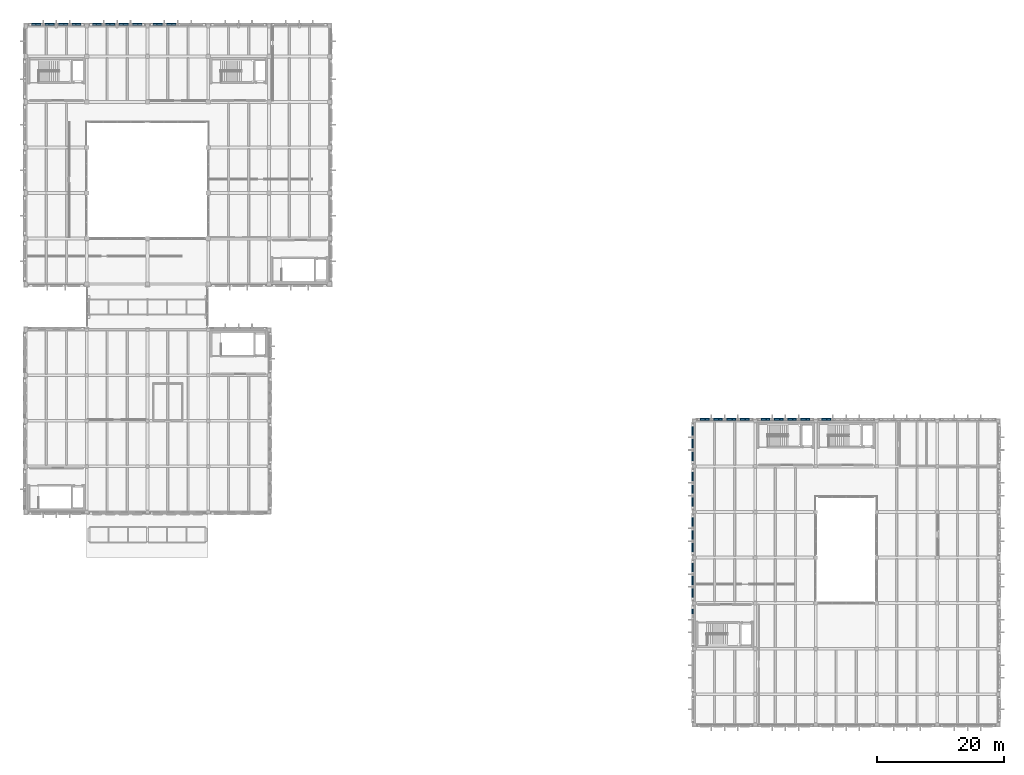
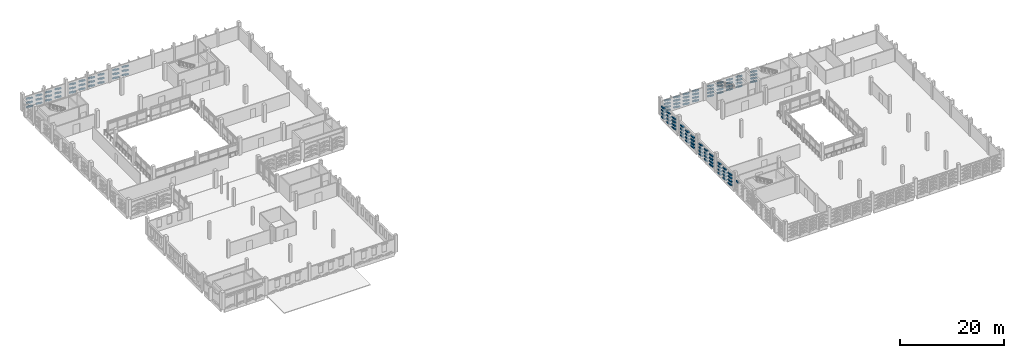
# One storey, part 49 of 72: 229 plates.
"""IFC4 building model written with IfcOpenShell, lengths in metres."""

from ifc_helpers import new_model, si_unit, direction, frame, origin, origin_2d, place, context, subcontext, project, spatial, rectangle, extrude, material, layer, layer_set, type_object, element, save


model = new_model("IFC4")

# Units and contexts
model_context = context("Model", 3, precision=1e-05, world=origin(), true_north=direction((0.0, 1.0)))
body_context = subcontext(model_context, "Body", "Model", "MODEL_VIEW")
ifc_project = project(units=[si_unit("LENGTHUNIT", "METRE"), si_unit("AREAUNIT", "SQUARE_METRE"), si_unit("VOLUMEUNIT", "CUBIC_METRE"), si_unit("PLANEANGLEUNIT", "RADIAN"), si_unit("MASSUNIT", "GRAM", prefix="KILO")], contexts=[model_context])

# Site, building, storey
site_placement = place(None, origin())
site = spatial("IfcSite", under=ifc_project, at=site_placement, CompositionType="ELEMENT")
building_placement = place(site_placement, origin())
building = spatial("IfcBuilding", under=site, at=building_placement, Name="Asteropetra Specialist Clinic", CompositionType="ELEMENT")
storey_placement = place(building_placement, frame((0.0, 0.0, 12.580078125)))
storey = spatial("IfcBuildingStorey", under=building, at=storey_placement, Name="L03", CompositionType="ELEMENT", Elevation=12.580078125)

# Plates
ifc_material = material(Name="Aluminium 6063-T6", Category="aluminium")
ifc_layer = layer(ifc_material, 0.139892578125)
ifc_layer_set = layer_set([ifc_layer], Name="Aluminium 6063-T6")
plate_type = type_object("IfcPlateType", Name="PLT-CHV-TILE", PredefinedType="SHEET", material=ifc_layer_set)
for number, where, z_axis, x_axis, name in (
    (1, (8.26513671875, 110.679931640625, 0.009765625), (0.0, 0.0, 1.0), (1.0, 0.0, 0.0), "Chevron Ceramic Panel CPT-0879"),
    (2, (7.68603515625, 110.679931640625, 0.1357421875), (0.0, 0.0, 1.0), (1.0, 0.0, 0.0), "Chevron Ceramic Panel CPT-0880"),
    (3, (8.26513671875, 110.679931640625, 0.9697265625), (0.0, 0.0, 1.0), (1.0, 0.0, 0.0), "Chevron Ceramic Panel CPT-0881"),
    (4, (7.68603515625, 110.679931640625, 1.095703125), (0.0, 0.0, 1.0), (1.0, 0.0, 0.0), "Chevron Ceramic Panel CPT-0882"),
    (5, (8.26513671875, 110.679931640625, 1.9296875), (0.0, 0.0, 1.0), (1.0, 0.0, 0.0), "Chevron Ceramic Panel CPT-0883"),
    (6, (7.68603515625, 110.679931640625, 2.0556640625), (0.0, 0.0, 1.0), (1.0, 0.0, 0.0), "Chevron Ceramic Panel CPT-0884"),
):
    element("IfcPlate", number, at=place(storey_placement, frame(where, z_axis=z_axis, x_axis=x_axis)), inside=storey, type_object=plate_type, Name=name, PredefinedType="SHEET", context=body_context, shape_type="SweptSolid", body=[
        extrude(rectangle(XDim=0.826904296875, YDim=0.280029296875, at=origin_2d()), origin(), (0.0, 0.0, 1.0), 0.300048828125),
    ])
for number, where, z_axis, x_axis, name in (
    (7, (6.156494140625, 110.679931640625, 0.009765625), (0.0, 0.0, 1.0), (1.0, 0.0, 0.0), "Chevron Ceramic Panel CPT-0885"),
    (8, (5.577392578125, 110.679931640625, 0.1357421875), (0.0, 0.0, 1.0), (1.0, 0.0, 0.0), "Chevron Ceramic Panel CPT-0886"),
    (9, (6.156494140625, 110.679931640625, 0.9697265625), (0.0, 0.0, 1.0), (1.0, 0.0, 0.0), "Chevron Ceramic Panel CPT-0887"),
    (10, (5.577392578125, 110.679931640625, 1.095703125), (0.0, 0.0, 1.0), (1.0, 0.0, 0.0), "Chevron Ceramic Panel CPT-0888"),
    (11, (6.156494140625, 110.679931640625, 1.9296875), (0.0, 0.0, 1.0), (1.0, 0.0, 0.0), "Chevron Ceramic Panel CPT-0889"),
    (12, (5.577392578125, 110.679931640625, 2.0556640625), (0.0, 0.0, 1.0), (1.0, 0.0, 0.0), "Chevron Ceramic Panel CPT-0890"),
    (13, (4.0478515625, 110.679931640625, 0.009765625), (0.0, 0.0, 1.0), (1.0, 0.0, 0.0), "Chevron Ceramic Panel CPT-0891"),
    (14, (3.468505859375, 110.679931640625, 0.1357421875), (0.0, 0.0, 1.0), (1.0, 0.0, 0.0), "Chevron Ceramic Panel CPT-0892"),
    (15, (4.0478515625, 110.679931640625, 0.9697265625), (0.0, 0.0, 1.0), (1.0, 0.0, 0.0), "Chevron Ceramic Panel CPT-0893"),
    (16, (3.468505859375, 110.679931640625, 1.095703125), (0.0, 0.0, 1.0), (1.0, 0.0, 0.0), "Chevron Ceramic Panel CPT-0894"),
    (17, (4.0478515625, 110.679931640625, 1.9296875), (0.0, 0.0, 1.0), (1.0, 0.0, 0.0), "Chevron Ceramic Panel CPT-0895"),
    (18, (3.468505859375, 110.679931640625, 2.0556640625), (0.0, 0.0, 1.0), (1.0, 0.0, 0.0), "Chevron Ceramic Panel CPT-0896"),
    (19, (1.93896484375, 110.679931640625, 0.009765625), (0.0, 0.0, 1.0), (1.0, 0.0, 0.0), "Chevron Ceramic Panel CPT-0897"),
    (20, (1.35986328125, 110.679931640625, 0.1357421875), (0.0, 0.0, 1.0), (1.0, 0.0, 0.0), "Chevron Ceramic Panel CPT-0898"),
    (21, (1.93896484375, 110.679931640625, 0.9697265625), (0.0, 0.0, 1.0), (1.0, 0.0, 0.0), "Chevron Ceramic Panel CPT-0899"),
    (22, (1.35986328125, 110.679931640625, 1.095703125), (0.0, 0.0, 1.0), (1.0, 0.0, 0.0), "Chevron Ceramic Panel CPT-0900"),
    (23, (1.93896484375, 110.679931640625, 1.9296875), (0.0, 0.0, 1.0), (1.0, 0.0, 0.0), "Chevron Ceramic Panel CPT-0901"),
    (24, (1.35986328125, 110.679931640625, 2.0556640625), (0.0, 0.0, 1.0), (1.0, 0.0, 0.0), "Chevron Ceramic Panel CPT-0902"),
):
    element("IfcPlate", number, at=place(storey_placement, frame(where, z_axis=z_axis, x_axis=x_axis)), inside=storey, type_object=plate_type, Name=name, PredefinedType="SHEET", context=body_context, shape_type="SweptSolid", body=[
        extrude(rectangle(XDim=0.827880859375, YDim=0.280029296875, at=origin_2d()), origin(), (0.0, 0.0, 1.0), 0.300048828125),
    ])
for number, where, z_axis, x_axis, name in (
    (25, (17.863037109375, 110.679931640625, 0.009765625), (0.0, 0.0, 1.0), (1.0, 0.0, 0.0), "Chevron Ceramic Panel CPT-0903"),
    (26, (17.281982421875, 110.679931640625, 0.13671875), (0.0, 0.0, 1.0), (1.0, 0.0, 0.0), "Chevron Ceramic Panel CPT-0904"),
    (27, (17.863037109375, 110.679931640625, 0.9697265625), (0.0, 0.0, 1.0), (1.0, 0.0, 0.0), "Chevron Ceramic Panel CPT-0905"),
    (28, (17.281982421875, 110.679931640625, 1.0966796875), (0.0, 0.0, 1.0), (1.0, 0.0, 0.0), "Chevron Ceramic Panel CPT-0906"),
    (29, (17.863037109375, 110.679931640625, 1.9296875), (0.0, 0.0, 1.0), (1.0, 0.0, 0.0), "Chevron Ceramic Panel CPT-0907"),
    (30, (17.281982421875, 110.679931640625, 2.056640625), (0.0, 0.0, 1.0), (1.0, 0.0, 0.0), "Chevron Ceramic Panel CPT-0908"),
    (31, (15.748046875, 110.679931640625, 0.009765625), (0.0, 0.0, 1.0), (1.0, 0.0, 0.0), "Chevron Ceramic Panel CPT-0909"),
    (32, (15.1669921875, 110.679931640625, 0.13671875), (0.0, 0.0, 1.0), (1.0, 0.0, 0.0), "Chevron Ceramic Panel CPT-0910"),
    (33, (15.748046875, 110.679931640625, 0.9697265625), (0.0, 0.0, 1.0), (1.0, 0.0, 0.0), "Chevron Ceramic Panel CPT-0911"),
    (34, (15.1669921875, 110.679931640625, 1.0966796875), (0.0, 0.0, 1.0), (1.0, 0.0, 0.0), "Chevron Ceramic Panel CPT-0912"),
    (35, (15.748046875, 110.679931640625, 1.9296875), (0.0, 0.0, 1.0), (1.0, 0.0, 0.0), "Chevron Ceramic Panel CPT-0913"),
    (36, (15.1669921875, 110.679931640625, 2.056640625), (0.0, 0.0, 1.0), (1.0, 0.0, 0.0), "Chevron Ceramic Panel CPT-0914"),
    (37, (13.633056640625, 110.679931640625, 0.009765625), (0.0, 0.0, 1.0), (1.0, 0.0, 0.0), "Chevron Ceramic Panel CPT-0915"),
    (38, (13.052001953125, 110.679931640625, 0.13671875), (0.0, 0.0, 1.0), (1.0, 0.0, 0.0), "Chevron Ceramic Panel CPT-0916"),
    (39, (13.633056640625, 110.679931640625, 0.9697265625), (0.0, 0.0, 1.0), (1.0, 0.0, 0.0), "Chevron Ceramic Panel CPT-0917"),
    (40, (13.052001953125, 110.679931640625, 1.0966796875), (0.0, 0.0, 1.0), (1.0, 0.0, 0.0), "Chevron Ceramic Panel CPT-0918"),
    (41, (13.633056640625, 110.679931640625, 1.9296875), (0.0, 0.0, 1.0), (1.0, 0.0, 0.0), "Chevron Ceramic Panel CPT-0919"),
    (42, (13.052001953125, 110.679931640625, 2.056640625), (0.0, 0.0, 1.0), (1.0, 0.0, 0.0), "Chevron Ceramic Panel CPT-0920"),
    (43, (11.51806640625, 110.679931640625, 0.009765625), (0.0, 0.0, 1.0), (1.0, 0.0, 0.0), "Chevron Ceramic Panel CPT-0921"),
    (44, (10.93701171875, 110.679931640625, 0.13671875), (0.0, 0.0, 1.0), (1.0, 0.0, 0.0), "Chevron Ceramic Panel CPT-0922"),
    (45, (11.51806640625, 110.679931640625, 0.9697265625), (0.0, 0.0, 1.0), (1.0, 0.0, 0.0), "Chevron Ceramic Panel CPT-0923"),
    (46, (10.93701171875, 110.679931640625, 1.0966796875), (0.0, 0.0, 1.0), (1.0, 0.0, 0.0), "Chevron Ceramic Panel CPT-0924"),
    (47, (11.51806640625, 110.679931640625, 1.9296875), (0.0, 0.0, 1.0), (1.0, 0.0, 0.0), "Chevron Ceramic Panel CPT-0925"),
    (48, (10.93701171875, 110.679931640625, 2.056640625), (0.0, 0.0, 1.0), (1.0, 0.0, 0.0), "Chevron Ceramic Panel CPT-0926"),
    (49, (23.23291015625, 110.679931640625, 0.009765625), (0.0, 0.0, 1.0), (1.0, 0.0, 0.0), "Chevron Ceramic Panel CPT-0939"),
    (50, (22.652099609375, 110.679931640625, 0.13671875), (0.0, 0.0, 1.0), (1.0, 0.0, 0.0), "Chevron Ceramic Panel CPT-0940"),
    (51, (23.23291015625, 110.679931640625, 0.9697265625), (0.0, 0.0, 1.0), (1.0, 0.0, 0.0), "Chevron Ceramic Panel CPT-0941"),
    (52, (22.652099609375, 110.679931640625, 1.0966796875), (0.0, 0.0, 1.0), (1.0, 0.0, 0.0), "Chevron Ceramic Panel CPT-0942"),
    (53, (23.23291015625, 110.679931640625, 1.9296875), (0.0, 0.0, 1.0), (1.0, 0.0, 0.0), "Chevron Ceramic Panel CPT-0943"),
    (54, (22.652099609375, 110.679931640625, 2.056640625), (0.0, 0.0, 1.0), (1.0, 0.0, 0.0), "Chevron Ceramic Panel CPT-0944"),
    (55, (21.117919921875, 110.679931640625, 0.009765625), (0.0, 0.0, 1.0), (1.0, 0.0, 0.0), "Chevron Ceramic Panel CPT-0945"),
    (56, (20.537109375, 110.679931640625, 0.13671875), (0.0, 0.0, 1.0), (1.0, 0.0, 0.0), "Chevron Ceramic Panel CPT-0946"),
    (57, (21.117919921875, 110.679931640625, 0.9697265625), (0.0, 0.0, 1.0), (1.0, 0.0, 0.0), "Chevron Ceramic Panel CPT-0947"),
    (58, (20.537109375, 110.679931640625, 1.0966796875), (0.0, 0.0, 1.0), (1.0, 0.0, 0.0), "Chevron Ceramic Panel CPT-0948"),
    (59, (21.117919921875, 110.679931640625, 1.9296875), (0.0, 0.0, 1.0), (1.0, 0.0, 0.0), "Chevron Ceramic Panel CPT-0949"),
    (60, (20.537109375, 110.679931640625, 2.056640625), (0.0, 0.0, 1.0), (1.0, 0.0, 0.0), "Chevron Ceramic Panel CPT-0950"),
):
    element("IfcPlate", number, at=place(storey_placement, frame(where, z_axis=z_axis, x_axis=x_axis)), inside=storey, type_object=plate_type, Name=name, PredefinedType="SHEET", context=body_context, shape_type="SweptSolid", body=[
        extrude(rectangle(XDim=0.830078125, YDim=0.280029296875, at=origin_2d()), origin(), (0.0, 0.0, 1.0), 0.300048828125),
    ])
for number, where, z_axis, x_axis, name in (
    (61, (113.842529296875, 48.277587890625, -0.00048828125), (0.0, 0.0, 1.0), (1.0, 0.0, 0.0), "Chevron Ceramic Panel CPT-1711"),
    (62, (113.264892578125, 48.277587890625, 0.12548828125), (0.0, 0.0, 1.0), (1.0, 0.0, 0.0), "Chevron Ceramic Panel CPT-1712"),
    (63, (113.842529296875, 48.277587890625, 0.76953125), (0.0, 0.0, 1.0), (1.0, 0.0, 0.0), "Chevron Ceramic Panel CPT-1713"),
    (64, (113.264892578125, 48.277587890625, 0.8955078125), (0.0, 0.0, 1.0), (1.0, 0.0, 0.0), "Chevron Ceramic Panel CPT-1714"),
    (65, (113.842529296875, 48.277587890625, 1.5693359375), (0.0, 0.0, 1.0), (1.0, 0.0, 0.0), "Chevron Ceramic Panel CPT-1715"),
    (66, (113.264892578125, 48.277587890625, 1.6953125), (0.0, 0.0, 1.0), (1.0, 0.0, 0.0), "Chevron Ceramic Panel CPT-1716"),
    (67, (113.842529296875, 48.277587890625, 2.349609375), (0.0, 0.0, 1.0), (1.0, 0.0, 0.0), "Chevron Ceramic Panel CPT-1717"),
    (68, (113.264892578125, 48.277587890625, 2.47509765625), (0.0, 0.0, 1.0), (1.0, 0.0, 0.0), "Chevron Ceramic Panel CPT-1718"),
    (69, (111.739990234375, 48.277587890625, -0.00048828125), (0.0, 0.0, 1.0), (1.0, 0.0, 0.0), "Chevron Ceramic Panel CPT-1719"),
    (70, (111.16259765625, 48.277587890625, 0.12548828125), (0.0, 0.0, 1.0), (1.0, 0.0, 0.0), "Chevron Ceramic Panel CPT-1720"),
    (71, (111.739990234375, 48.277587890625, 0.76953125), (0.0, 0.0, 1.0), (1.0, 0.0, 0.0), "Chevron Ceramic Panel CPT-1721"),
    (72, (111.16259765625, 48.277587890625, 0.8955078125), (0.0, 0.0, 1.0), (1.0, 0.0, 0.0), "Chevron Ceramic Panel CPT-1722"),
    (73, (111.739990234375, 48.277587890625, 1.5693359375), (0.0, 0.0, 1.0), (1.0, 0.0, 0.0), "Chevron Ceramic Panel CPT-1723"),
    (74, (111.16259765625, 48.277587890625, 1.6953125), (0.0, 0.0, 1.0), (1.0, 0.0, 0.0), "Chevron Ceramic Panel CPT-1724"),
    (75, (111.739990234375, 48.277587890625, 2.349609375), (0.0, 0.0, 1.0), (1.0, 0.0, 0.0), "Chevron Ceramic Panel CPT-1725"),
    (76, (111.16259765625, 48.277587890625, 2.47509765625), (0.0, 0.0, 1.0), (1.0, 0.0, 0.0), "Chevron Ceramic Panel CPT-1726"),
    (77, (109.637451171875, 48.277587890625, -0.00048828125), (0.0, 0.0, 1.0), (1.0, 0.0, 0.0), "Chevron Ceramic Panel CPT-1727"),
    (78, (109.06005859375, 48.277587890625, 0.12548828125), (0.0, 0.0, 1.0), (1.0, 0.0, 0.0), "Chevron Ceramic Panel CPT-1728"),
    (79, (109.637451171875, 48.277587890625, 0.76953125), (0.0, 0.0, 1.0), (1.0, 0.0, 0.0), "Chevron Ceramic Panel CPT-1729"),
    (80, (109.06005859375, 48.277587890625, 0.8955078125), (0.0, 0.0, 1.0), (1.0, 0.0, 0.0), "Chevron Ceramic Panel CPT-1730"),
    (81, (109.637451171875, 48.277587890625, 1.5693359375), (0.0, 0.0, 1.0), (1.0, 0.0, 0.0), "Chevron Ceramic Panel CPT-1731"),
    (82, (109.06005859375, 48.277587890625, 1.6953125), (0.0, 0.0, 1.0), (1.0, 0.0, 0.0), "Chevron Ceramic Panel CPT-1732"),
    (83, (109.637451171875, 48.277587890625, 2.349609375), (0.0, 0.0, 1.0), (1.0, 0.0, 0.0), "Chevron Ceramic Panel CPT-1733"),
    (84, (109.06005859375, 48.277587890625, 2.47509765625), (0.0, 0.0, 1.0), (1.0, 0.0, 0.0), "Chevron Ceramic Panel CPT-1734"),
    (85, (107.534912109375, 48.277587890625, -0.00048828125), (0.0, 0.0, 1.0), (1.0, 0.0, 0.0), "Chevron Ceramic Panel CPT-1735"),
    (86, (106.95751953125, 48.277587890625, 0.12548828125), (0.0, 0.0, 1.0), (1.0, 0.0, 0.0), "Chevron Ceramic Panel CPT-1736"),
    (87, (107.534912109375, 48.277587890625, 0.76953125), (0.0, 0.0, 1.0), (1.0, 0.0, 0.0), "Chevron Ceramic Panel CPT-1737"),
    (88, (106.95751953125, 48.277587890625, 0.8955078125), (0.0, 0.0, 1.0), (1.0, 0.0, 0.0), "Chevron Ceramic Panel CPT-1738"),
    (89, (107.534912109375, 48.277587890625, 1.5693359375), (0.0, 0.0, 1.0), (1.0, 0.0, 0.0), "Chevron Ceramic Panel CPT-1739"),
    (90, (106.95751953125, 48.277587890625, 1.6953125), (0.0, 0.0, 1.0), (1.0, 0.0, 0.0), "Chevron Ceramic Panel CPT-1740"),
    (91, (107.534912109375, 48.277587890625, 2.349609375), (0.0, 0.0, 1.0), (1.0, 0.0, 0.0), "Chevron Ceramic Panel CPT-1741"),
    (92, (106.95751953125, 48.277587890625, 2.47509765625), (0.0, 0.0, 1.0), (1.0, 0.0, 0.0), "Chevron Ceramic Panel CPT-1742"),
    (93, (123.4423828125, 48.277587890625, -0.00048828125), (0.0, 0.0, 1.0), (1.0, 0.0, 0.0), "Chevron Ceramic Panel CPT-1775"),
    (94, (122.864990234375, 48.277587890625, 0.12548828125), (0.0, 0.0, 1.0), (1.0, 0.0, 0.0), "Chevron Ceramic Panel CPT-1776"),
    (95, (123.4423828125, 48.277587890625, 0.76953125), (0.0, 0.0, 1.0), (1.0, 0.0, 0.0), "Chevron Ceramic Panel CPT-1777"),
    (96, (122.864990234375, 48.277587890625, 0.8955078125), (0.0, 0.0, 1.0), (1.0, 0.0, 0.0), "Chevron Ceramic Panel CPT-1778"),
    (97, (123.4423828125, 48.277587890625, 1.5693359375), (0.0, 0.0, 1.0), (1.0, 0.0, 0.0), "Chevron Ceramic Panel CPT-1779"),
    (98, (122.864990234375, 48.277587890625, 1.6953125), (0.0, 0.0, 1.0), (1.0, 0.0, 0.0), "Chevron Ceramic Panel CPT-1780"),
    (99, (123.4423828125, 48.277587890625, 2.349609375), (0.0, 0.0, 1.0), (1.0, 0.0, 0.0), "Chevron Ceramic Panel CPT-1781"),
    (100, (122.864990234375, 48.277587890625, 2.47509765625), (0.0, 0.0, 1.0), (1.0, 0.0, 0.0), "Chevron Ceramic Panel CPT-1782"),
    (101, (121.340087890625, 48.277587890625, -0.00048828125), (0.0, 0.0, 1.0), (1.0, 0.0, 0.0), "Chevron Ceramic Panel CPT-1783"),
    (102, (120.762451171875, 48.277587890625, 0.12548828125), (0.0, 0.0, 1.0), (1.0, 0.0, 0.0), "Chevron Ceramic Panel CPT-1784"),
    (103, (121.340087890625, 48.277587890625, 0.76953125), (0.0, 0.0, 1.0), (1.0, 0.0, 0.0), "Chevron Ceramic Panel CPT-1785"),
    (104, (120.762451171875, 48.277587890625, 0.8955078125), (0.0, 0.0, 1.0), (1.0, 0.0, 0.0), "Chevron Ceramic Panel CPT-1786"),
    (105, (121.340087890625, 48.277587890625, 1.5693359375), (0.0, 0.0, 1.0), (1.0, 0.0, 0.0), "Chevron Ceramic Panel CPT-1787"),
    (106, (120.762451171875, 48.277587890625, 1.6953125), (0.0, 0.0, 1.0), (1.0, 0.0, 0.0), "Chevron Ceramic Panel CPT-1788"),
    (107, (121.340087890625, 48.277587890625, 2.349609375), (0.0, 0.0, 1.0), (1.0, 0.0, 0.0), "Chevron Ceramic Panel CPT-1789"),
    (108, (120.762451171875, 48.277587890625, 2.47509765625), (0.0, 0.0, 1.0), (1.0, 0.0, 0.0), "Chevron Ceramic Panel CPT-1790"),
    (109, (119.237548828125, 48.277587890625, -0.00048828125), (0.0, 0.0, 1.0), (1.0, 0.0, 0.0), "Chevron Ceramic Panel CPT-1791"),
    (110, (118.659912109375, 48.277587890625, 0.12548828125), (0.0, 0.0, 1.0), (1.0, 0.0, 0.0), "Chevron Ceramic Panel CPT-1792"),
    (111, (119.237548828125, 48.277587890625, 0.76953125), (0.0, 0.0, 1.0), (1.0, 0.0, 0.0), "Chevron Ceramic Panel CPT-1793"),
    (112, (118.659912109375, 48.277587890625, 0.8955078125), (0.0, 0.0, 1.0), (1.0, 0.0, 0.0), "Chevron Ceramic Panel CPT-1794"),
    (113, (119.237548828125, 48.277587890625, 1.5693359375), (0.0, 0.0, 1.0), (1.0, 0.0, 0.0), "Chevron Ceramic Panel CPT-1795"),
    (114, (118.659912109375, 48.277587890625, 1.6953125), (0.0, 0.0, 1.0), (1.0, 0.0, 0.0), "Chevron Ceramic Panel CPT-1796"),
    (115, (119.237548828125, 48.277587890625, 2.349609375), (0.0, 0.0, 1.0), (1.0, 0.0, 0.0), "Chevron Ceramic Panel CPT-1797"),
    (116, (118.659912109375, 48.277587890625, 2.47509765625), (0.0, 0.0, 1.0), (1.0, 0.0, 0.0), "Chevron Ceramic Panel CPT-1798"),
    (117, (117.135009765625, 48.277587890625, -0.00048828125), (0.0, 0.0, 1.0), (1.0, 0.0, 0.0), "Chevron Ceramic Panel CPT-1799"),
    (118, (116.5576171875, 48.277587890625, 0.12548828125), (0.0, 0.0, 1.0), (1.0, 0.0, 0.0), "Chevron Ceramic Panel CPT-1800"),
    (119, (117.135009765625, 48.277587890625, 0.76953125), (0.0, 0.0, 1.0), (1.0, 0.0, 0.0), "Chevron Ceramic Panel CPT-1801"),
    (120, (116.5576171875, 48.277587890625, 0.8955078125), (0.0, 0.0, 1.0), (1.0, 0.0, 0.0), "Chevron Ceramic Panel CPT-1802"),
    (121, (117.135009765625, 48.277587890625, 1.5693359375), (0.0, 0.0, 1.0), (1.0, 0.0, 0.0), "Chevron Ceramic Panel CPT-1803"),
    (122, (116.5576171875, 48.277587890625, 1.6953125), (0.0, 0.0, 1.0), (1.0, 0.0, 0.0), "Chevron Ceramic Panel CPT-1804"),
    (123, (117.135009765625, 48.277587890625, 2.349609375), (0.0, 0.0, 1.0), (1.0, 0.0, 0.0), "Chevron Ceramic Panel CPT-1805"),
    (124, (116.5576171875, 48.277587890625, 2.47509765625), (0.0, 0.0, 1.0), (1.0, 0.0, 0.0), "Chevron Ceramic Panel CPT-1806"),
    (125, (126.735107421875, 48.277587890625, -0.00048828125), (0.0, 0.0, 1.0), (1.0, 0.0, 0.0), "Chevron Ceramic Panel CPT-1863"),
    (126, (126.157470703125, 48.277587890625, 0.12548828125), (0.0, 0.0, 1.0), (1.0, 0.0, 0.0), "Chevron Ceramic Panel CPT-1864"),
    (127, (126.735107421875, 48.277587890625, 0.76953125), (0.0, 0.0, 1.0), (1.0, 0.0, 0.0), "Chevron Ceramic Panel CPT-1865"),
    (128, (126.157470703125, 48.277587890625, 0.8955078125), (0.0, 0.0, 1.0), (1.0, 0.0, 0.0), "Chevron Ceramic Panel CPT-1866"),
    (129, (126.735107421875, 48.277587890625, 1.5693359375), (0.0, 0.0, 1.0), (1.0, 0.0, 0.0), "Chevron Ceramic Panel CPT-1867"),
    (130, (126.157470703125, 48.277587890625, 1.6953125), (0.0, 0.0, 1.0), (1.0, 0.0, 0.0), "Chevron Ceramic Panel CPT-1868"),
    (131, (126.735107421875, 48.277587890625, 2.349609375), (0.0, 0.0, 1.0), (1.0, 0.0, 0.0), "Chevron Ceramic Panel CPT-1869"),
    (132, (126.157470703125, 48.277587890625, 2.47509765625), (0.0, 0.0, 1.0), (1.0, 0.0, 0.0), "Chevron Ceramic Panel CPT-1870"),
):
    element("IfcPlate", number, at=place(storey_placement, frame(where, z_axis=z_axis, x_axis=x_axis)), inside=storey, type_object=plate_type, Name=name, PredefinedType="SHEET", context=body_context, shape_type="SweptSolid", body=[
        extrude(rectangle(XDim=0.824951171875, YDim=0.280029296875, at=origin_2d()), origin(), (0.0, 0.0, 1.0), 0.300048828125),
    ])
for number, where, z_axis, x_axis, name in (
    (133, (105.322509765625, 17.878173828125, 2.3447265625), (0.0, 0.0, 1.0), (1.0, 0.0, 0.0), "Chevron Ceramic Panel CPT-2085"),
    (134, (105.322509765625, 25.078125, -0.00537109375), (0.0, 0.0, 1.0), (1.0, 0.0, 0.0), "Chevron Ceramic Panel CPT-2127"),
    (135, (105.322509765625, 24.528564453125, 0.11474609375), (0.0, 0.0, 1.0), (1.0, 0.0, 0.0), "Chevron Ceramic Panel CPT-2128"),
    (136, (105.322509765625, 25.078125, 0.7646484375), (0.0, 0.0, 1.0), (1.0, 0.0, 0.0), "Chevron Ceramic Panel CPT-2129"),
    (137, (105.322509765625, 24.528564453125, 0.884765625), (0.0, 0.0, 1.0), (1.0, 0.0, 0.0), "Chevron Ceramic Panel CPT-2130"),
    (138, (105.322509765625, 25.078125, 1.564453125), (0.0, 0.0, 1.0), (1.0, 0.0, 0.0), "Chevron Ceramic Panel CPT-2131"),
    (139, (105.322509765625, 24.528564453125, 1.6845703125), (0.0, 0.0, 1.0), (1.0, 0.0, 0.0), "Chevron Ceramic Panel CPT-2132"),
    (140, (105.322509765625, 25.078125, 2.3447265625), (0.0, 0.0, 1.0), (1.0, 0.0, 0.0), "Chevron Ceramic Panel CPT-2133"),
    (141, (105.322509765625, 24.528564453125, 2.46435546875), (0.0, 0.0, 1.0), (1.0, 0.0, 0.0), "Chevron Ceramic Panel CPT-2134"),
    (142, (105.322509765625, 23.074951171875, -0.00537109375), (0.0, 0.0, 1.0), (1.0, 0.0, 0.0), "Chevron Ceramic Panel CPT-2135"),
    (143, (105.322509765625, 22.525146484375, 0.11474609375), (0.0, 0.0, 1.0), (1.0, 0.0, 0.0), "Chevron Ceramic Panel CPT-2136"),
    (144, (105.322509765625, 23.074951171875, 0.7646484375), (0.0, 0.0, 1.0), (1.0, 0.0, 0.0), "Chevron Ceramic Panel CPT-2137"),
    (145, (105.322509765625, 22.525146484375, 0.884765625), (0.0, 0.0, 1.0), (1.0, 0.0, 0.0), "Chevron Ceramic Panel CPT-2138"),
    (146, (105.322509765625, 23.074951171875, 1.564453125), (0.0, 0.0, 1.0), (1.0, 0.0, 0.0), "Chevron Ceramic Panel CPT-2139"),
    (147, (105.322509765625, 22.525146484375, 1.6845703125), (0.0, 0.0, 1.0), (1.0, 0.0, 0.0), "Chevron Ceramic Panel CPT-2140"),
    (148, (105.322509765625, 23.074951171875, 2.3447265625), (0.0, 0.0, 1.0), (1.0, 0.0, 0.0), "Chevron Ceramic Panel CPT-2141"),
    (149, (105.322509765625, 22.525146484375, 2.46435546875), (0.0, 0.0, 1.0), (1.0, 0.0, 0.0), "Chevron Ceramic Panel CPT-2142"),
    (150, (105.322509765625, 21.071533203125, -0.00537109375), (0.0, 0.0, 1.0), (1.0, 0.0, 0.0), "Chevron Ceramic Panel CPT-2143"),
    (151, (105.322509765625, 20.521728515625, 0.11474609375), (0.0, 0.0, 1.0), (1.0, 0.0, 0.0), "Chevron Ceramic Panel CPT-2144"),
    (152, (105.322509765625, 21.071533203125, 0.7646484375), (0.0, 0.0, 1.0), (1.0, 0.0, 0.0), "Chevron Ceramic Panel CPT-2145"),
    (153, (105.322509765625, 20.521728515625, 0.884765625), (0.0, 0.0, 1.0), (1.0, 0.0, 0.0), "Chevron Ceramic Panel CPT-2146"),
    (154, (105.322509765625, 21.071533203125, 1.564453125), (0.0, 0.0, 1.0), (1.0, 0.0, 0.0), "Chevron Ceramic Panel CPT-2147"),
    (155, (105.322509765625, 20.521728515625, 1.6845703125), (0.0, 0.0, 1.0), (1.0, 0.0, 0.0), "Chevron Ceramic Panel CPT-2148"),
    (156, (105.322509765625, 21.071533203125, 2.3447265625), (0.0, 0.0, 1.0), (1.0, 0.0, 0.0), "Chevron Ceramic Panel CPT-2149"),
    (157, (105.322509765625, 20.521728515625, 2.46435546875), (0.0, 0.0, 1.0), (1.0, 0.0, 0.0), "Chevron Ceramic Panel CPT-2150"),
    (158, (105.322509765625, 32.2783203125, -0.00537109375), (0.0, 0.0, 1.0), (1.0, 0.0, 0.0), "Chevron Ceramic Panel CPT-2175"),
    (159, (105.322509765625, 31.728515625, 0.11474609375), (0.0, 0.0, 1.0), (1.0, 0.0, 0.0), "Chevron Ceramic Panel CPT-2176"),
    (160, (105.322509765625, 32.2783203125, 0.7646484375), (0.0, 0.0, 1.0), (1.0, 0.0, 0.0), "Chevron Ceramic Panel CPT-2177"),
    (161, (105.322509765625, 31.728515625, 0.884765625), (0.0, 0.0, 1.0), (1.0, 0.0, 0.0), "Chevron Ceramic Panel CPT-2178"),
    (162, (105.322509765625, 32.2783203125, 1.564453125), (0.0, 0.0, 1.0), (1.0, 0.0, 0.0), "Chevron Ceramic Panel CPT-2179"),
    (163, (105.322509765625, 31.728515625, 1.6845703125), (0.0, 0.0, 1.0), (1.0, 0.0, 0.0), "Chevron Ceramic Panel CPT-2180"),
    (164, (105.322509765625, 32.2783203125, 2.3447265625), (0.0, 0.0, 1.0), (1.0, 0.0, 0.0), "Chevron Ceramic Panel CPT-2181"),
    (165, (105.322509765625, 31.728515625, 2.46435546875), (0.0, 0.0, 1.0), (1.0, 0.0, 0.0), "Chevron Ceramic Panel CPT-2182"),
    (166, (105.322509765625, 30.27490234375, -0.00537109375), (0.0, 0.0, 1.0), (1.0, 0.0, 0.0), "Chevron Ceramic Panel CPT-2183"),
    (167, (105.322509765625, 29.72509765625, 0.11474609375), (0.0, 0.0, 1.0), (1.0, 0.0, 0.0), "Chevron Ceramic Panel CPT-2184"),
    (168, (105.322509765625, 30.27490234375, 0.7646484375), (0.0, 0.0, 1.0), (1.0, 0.0, 0.0), "Chevron Ceramic Panel CPT-2185"),
    (169, (105.322509765625, 29.72509765625, 0.884765625), (0.0, 0.0, 1.0), (1.0, 0.0, 0.0), "Chevron Ceramic Panel CPT-2186"),
    (170, (105.322509765625, 30.27490234375, 1.564453125), (0.0, 0.0, 1.0), (1.0, 0.0, 0.0), "Chevron Ceramic Panel CPT-2187"),
    (171, (105.322509765625, 29.72509765625, 1.6845703125), (0.0, 0.0, 1.0), (1.0, 0.0, 0.0), "Chevron Ceramic Panel CPT-2188"),
    (172, (105.322509765625, 30.27490234375, 2.3447265625), (0.0, 0.0, 1.0), (1.0, 0.0, 0.0), "Chevron Ceramic Panel CPT-2189"),
    (173, (105.322509765625, 29.72509765625, 2.46435546875), (0.0, 0.0, 1.0), (1.0, 0.0, 0.0), "Chevron Ceramic Panel CPT-2190"),
    (174, (105.322509765625, 28.271484375, -0.00537109375), (0.0, 0.0, 1.0), (1.0, 0.0, 0.0), "Chevron Ceramic Panel CPT-2191"),
    (175, (105.322509765625, 27.7216796875, 0.11474609375), (0.0, 0.0, 1.0), (1.0, 0.0, 0.0), "Chevron Ceramic Panel CPT-2192"),
    (176, (105.322509765625, 28.271484375, 0.7646484375), (0.0, 0.0, 1.0), (1.0, 0.0, 0.0), "Chevron Ceramic Panel CPT-2193"),
    (177, (105.322509765625, 27.7216796875, 0.884765625), (0.0, 0.0, 1.0), (1.0, 0.0, 0.0), "Chevron Ceramic Panel CPT-2194"),
    (178, (105.322509765625, 28.271484375, 1.564453125), (0.0, 0.0, 1.0), (1.0, 0.0, 0.0), "Chevron Ceramic Panel CPT-2195"),
    (179, (105.322509765625, 27.7216796875, 1.6845703125), (0.0, 0.0, 1.0), (1.0, 0.0, 0.0), "Chevron Ceramic Panel CPT-2196"),
    (180, (105.322509765625, 28.271484375, 2.3447265625), (0.0, 0.0, 1.0), (1.0, 0.0, 0.0), "Chevron Ceramic Panel CPT-2197"),
    (181, (105.322509765625, 27.7216796875, 2.46435546875), (0.0, 0.0, 1.0), (1.0, 0.0, 0.0), "Chevron Ceramic Panel CPT-2198"),
    (182, (105.322509765625, 39.478271484375, -0.00537109375), (0.0, 0.0, 1.0), (1.0, 0.0, 0.0), "Chevron Ceramic Panel CPT-2223"),
    (183, (105.322509765625, 38.928466796875, 0.11474609375), (0.0, 0.0, 1.0), (1.0, 0.0, 0.0), "Chevron Ceramic Panel CPT-2224"),
    (184, (105.322509765625, 39.478271484375, 0.7646484375), (0.0, 0.0, 1.0), (1.0, 0.0, 0.0), "Chevron Ceramic Panel CPT-2225"),
    (185, (105.322509765625, 38.928466796875, 0.884765625), (0.0, 0.0, 1.0), (1.0, 0.0, 0.0), "Chevron Ceramic Panel CPT-2226"),
    (186, (105.322509765625, 39.478271484375, 1.564453125), (0.0, 0.0, 1.0), (1.0, 0.0, 0.0), "Chevron Ceramic Panel CPT-2227"),
    (187, (105.322509765625, 38.928466796875, 1.6845703125), (0.0, 0.0, 1.0), (1.0, 0.0, 0.0), "Chevron Ceramic Panel CPT-2228"),
    (188, (105.322509765625, 39.478271484375, 2.3447265625), (0.0, 0.0, 1.0), (1.0, 0.0, 0.0), "Chevron Ceramic Panel CPT-2229"),
    (189, (105.322509765625, 38.928466796875, 2.46435546875), (0.0, 0.0, 1.0), (1.0, 0.0, 0.0), "Chevron Ceramic Panel CPT-2230"),
    (190, (105.322509765625, 37.474853515625, -0.00537109375), (0.0, 0.0, 1.0), (1.0, 0.0, 0.0), "Chevron Ceramic Panel CPT-2231"),
    (191, (105.322509765625, 36.925048828125, 0.11474609375), (0.0, 0.0, 1.0), (1.0, 0.0, 0.0), "Chevron Ceramic Panel CPT-2232"),
    (192, (105.322509765625, 37.474853515625, 0.7646484375), (0.0, 0.0, 1.0), (1.0, 0.0, 0.0), "Chevron Ceramic Panel CPT-2233"),
    (193, (105.322509765625, 36.925048828125, 0.884765625), (0.0, 0.0, 1.0), (1.0, 0.0, 0.0), "Chevron Ceramic Panel CPT-2234"),
    (194, (105.322509765625, 37.474853515625, 1.564453125), (0.0, 0.0, 1.0), (1.0, 0.0, 0.0), "Chevron Ceramic Panel CPT-2235"),
    (195, (105.322509765625, 36.925048828125, 1.6845703125), (0.0, 0.0, 1.0), (1.0, 0.0, 0.0), "Chevron Ceramic Panel CPT-2236"),
    (196, (105.322509765625, 37.474853515625, 2.3447265625), (0.0, 0.0, 1.0), (1.0, 0.0, 0.0), "Chevron Ceramic Panel CPT-2237"),
    (197, (105.322509765625, 36.925048828125, 2.46435546875), (0.0, 0.0, 1.0), (1.0, 0.0, 0.0), "Chevron Ceramic Panel CPT-2238"),
    (198, (105.322509765625, 35.471435546875, -0.00537109375), (0.0, 0.0, 1.0), (1.0, 0.0, 0.0), "Chevron Ceramic Panel CPT-2239"),
    (199, (105.322509765625, 34.921875, 0.11474609375), (0.0, 0.0, 1.0), (1.0, 0.0, 0.0), "Chevron Ceramic Panel CPT-2240"),
    (200, (105.322509765625, 35.471435546875, 0.7646484375), (0.0, 0.0, 1.0), (1.0, 0.0, 0.0), "Chevron Ceramic Panel CPT-2241"),
    (201, (105.322509765625, 34.921875, 0.884765625), (0.0, 0.0, 1.0), (1.0, 0.0, 0.0), "Chevron Ceramic Panel CPT-2242"),
    (202, (105.322509765625, 35.471435546875, 1.564453125), (0.0, 0.0, 1.0), (1.0, 0.0, 0.0), "Chevron Ceramic Panel CPT-2243"),
    (203, (105.322509765625, 34.921875, 1.6845703125), (0.0, 0.0, 1.0), (1.0, 0.0, 0.0), "Chevron Ceramic Panel CPT-2244"),
    (204, (105.322509765625, 35.471435546875, 2.3447265625), (0.0, 0.0, 1.0), (1.0, 0.0, 0.0), "Chevron Ceramic Panel CPT-2245"),
    (205, (105.322509765625, 34.921875, 2.46435546875), (0.0, 0.0, 1.0), (1.0, 0.0, 0.0), "Chevron Ceramic Panel CPT-2246"),
    (206, (105.322509765625, 46.67822265625, -0.00537109375), (0.0, 0.0, 1.0), (1.0, 0.0, 0.0), "Chevron Ceramic Panel CPT-2271"),
    (207, (105.322509765625, 46.12841796875, 0.11474609375), (0.0, 0.0, 1.0), (1.0, 0.0, 0.0), "Chevron Ceramic Panel CPT-2272"),
    (208, (105.322509765625, 46.67822265625, 0.7646484375), (0.0, 0.0, 1.0), (1.0, 0.0, 0.0), "Chevron Ceramic Panel CPT-2273"),
    (209, (105.322509765625, 46.12841796875, 0.884765625), (0.0, 0.0, 1.0), (1.0, 0.0, 0.0), "Chevron Ceramic Panel CPT-2274"),
    (210, (105.322509765625, 46.67822265625, 1.564453125), (0.0, 0.0, 1.0), (1.0, 0.0, 0.0), "Chevron Ceramic Panel CPT-2275"),
    (211, (105.322509765625, 46.12841796875, 1.6845703125), (0.0, 0.0, 1.0), (1.0, 0.0, 0.0), "Chevron Ceramic Panel CPT-2276"),
    (212, (105.322509765625, 46.67822265625, 2.3447265625), (0.0, 0.0, 1.0), (1.0, 0.0, 0.0), "Chevron Ceramic Panel CPT-2277"),
    (213, (105.322509765625, 46.12841796875, 2.46435546875), (0.0, 0.0, 1.0), (1.0, 0.0, 0.0), "Chevron Ceramic Panel CPT-2278"),
    (214, (105.322509765625, 44.6748046875, -0.00537109375), (0.0, 0.0, 1.0), (1.0, 0.0, 0.0), "Chevron Ceramic Panel CPT-2279"),
    (215, (105.322509765625, 44.125, 0.11474609375), (0.0, 0.0, 1.0), (1.0, 0.0, 0.0), "Chevron Ceramic Panel CPT-2280"),
    (216, (105.322509765625, 44.6748046875, 0.7646484375), (0.0, 0.0, 1.0), (1.0, 0.0, 0.0), "Chevron Ceramic Panel CPT-2281"),
    (217, (105.322509765625, 44.125, 0.884765625), (0.0, 0.0, 1.0), (1.0, 0.0, 0.0), "Chevron Ceramic Panel CPT-2282"),
    (218, (105.322509765625, 44.6748046875, 1.564453125), (0.0, 0.0, 1.0), (1.0, 0.0, 0.0), "Chevron Ceramic Panel CPT-2283"),
    (219, (105.322509765625, 44.125, 1.6845703125), (0.0, 0.0, 1.0), (1.0, 0.0, 0.0), "Chevron Ceramic Panel CPT-2284"),
    (220, (105.322509765625, 44.6748046875, 2.3447265625), (0.0, 0.0, 1.0), (1.0, 0.0, 0.0), "Chevron Ceramic Panel CPT-2285"),
    (221, (105.322509765625, 44.125, 2.46435546875), (0.0, 0.0, 1.0), (1.0, 0.0, 0.0), "Chevron Ceramic Panel CPT-2286"),
    (222, (105.322509765625, 42.67138671875, -0.00537109375), (0.0, 0.0, 1.0), (1.0, 0.0, 0.0), "Chevron Ceramic Panel CPT-2287"),
    (223, (105.322509765625, 42.121826171875, 0.11474609375), (0.0, 0.0, 1.0), (1.0, 0.0, 0.0), "Chevron Ceramic Panel CPT-2288"),
    (224, (105.322509765625, 42.67138671875, 0.7646484375), (0.0, 0.0, 1.0), (1.0, 0.0, 0.0), "Chevron Ceramic Panel CPT-2289"),
    (225, (105.322509765625, 42.121826171875, 0.884765625), (0.0, 0.0, 1.0), (1.0, 0.0, 0.0), "Chevron Ceramic Panel CPT-2290"),
    (226, (105.322509765625, 42.67138671875, 1.564453125), (0.0, 0.0, 1.0), (1.0, 0.0, 0.0), "Chevron Ceramic Panel CPT-2291"),
    (227, (105.322509765625, 42.121826171875, 1.6845703125), (0.0, 0.0, 1.0), (1.0, 0.0, 0.0), "Chevron Ceramic Panel CPT-2292"),
    (228, (105.322509765625, 42.67138671875, 2.3447265625), (0.0, 0.0, 1.0), (1.0, 0.0, 0.0), "Chevron Ceramic Panel CPT-2293"),
    (229, (105.322509765625, 42.121826171875, 2.46435546875), (0.0, 0.0, 1.0), (1.0, 0.0, 0.0), "Chevron Ceramic Panel CPT-2294"),
):
    element("IfcPlate", number, at=place(storey_placement, frame(where, z_axis=z_axis, x_axis=x_axis)), inside=storey, type_object=plate_type, Name=name, PredefinedType="SHEET", context=body_context, shape_type="SweptSolid", body=[
        extrude(rectangle(XDim=0.280029296875, YDim=0.784912109375, at=origin_2d()), origin(), (0.0, 0.0, 1.0), 0.300048828125),
    ])

save(model, "model.ifc")
